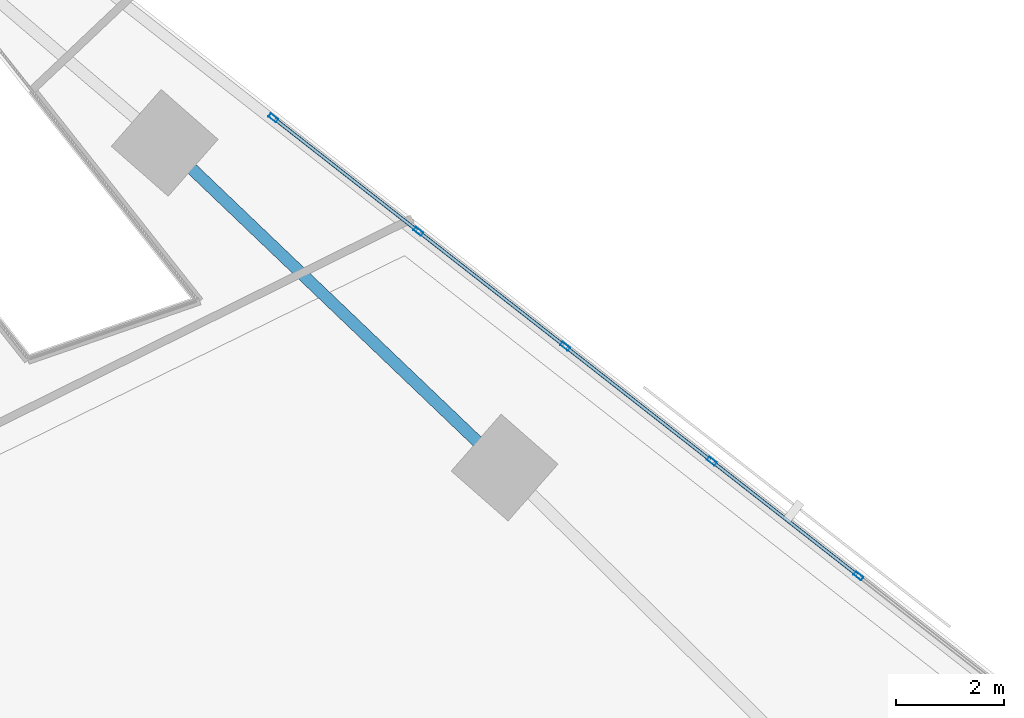
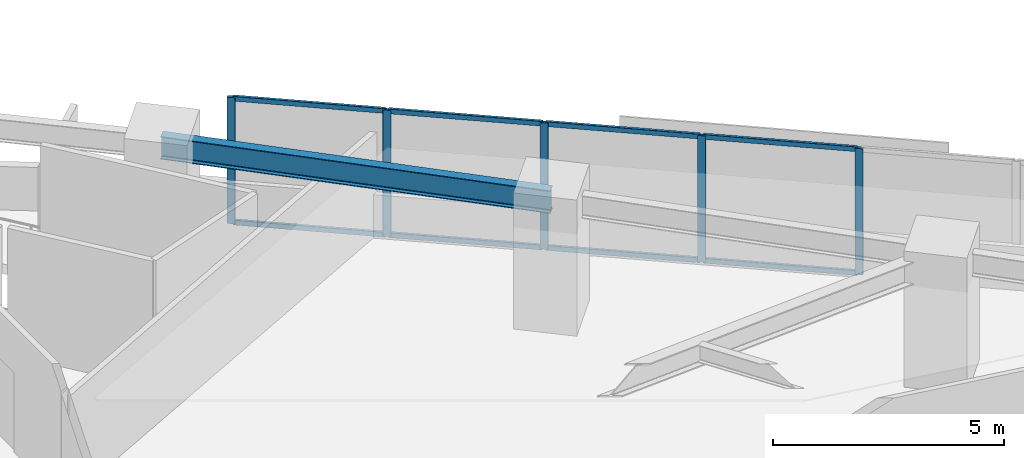
# One storey, part 6 of 15: 13 members, 1 beam, 1 element without a shape of its own.
"""IFC4 building model written with IfcOpenShell, lengths in metres."""

from ifc_helpers import new_model, si_unit, direction, frame, origin, origin_2d, place, context, subcontext, project, spatial, hollow_rectangle, i_section, extrude, material, material_profile, profile_set, type_object, element, aggregate, save


model = new_model("IFC4")

# Units and contexts
model_context = context("Model", 3, precision=1e-05, world=origin(), true_north=direction((0.0, 1.0)))
body_context = subcontext(model_context, "Body", "Model", "MODEL_VIEW")
ifc_project = project(units=[si_unit("LENGTHUNIT", "METRE"), si_unit("AREAUNIT", "SQUARE_METRE"), si_unit("VOLUMEUNIT", "CUBIC_METRE"), si_unit("PLANEANGLEUNIT", "RADIAN"), si_unit("MASSUNIT", "GRAM", prefix="KILO")], contexts=[model_context])

# Site, building, storey
site_placement = place(None, origin())
site = spatial("IfcSite", under=ifc_project, at=site_placement, CompositionType="ELEMENT")
building_placement = place(site_placement, origin())
building = spatial("IfcBuilding", under=site, at=building_placement, Name="Narakoshi Arena Tower", CompositionType="ELEMENT")
storey_placement = place(building_placement, frame((0.0, 0.0, 74.10009765625)))
storey = spatial("IfcBuildingStorey", under=building, at=storey_placement, Name="L19", CompositionType="ELEMENT", Elevation=74.10009765625)

# Beam
ifc_material_1 = material(Name="Structural steel S355J2", Category="steel")
ifc_material_profile_1 = material_profile(ifc_material_1, i_section(OverallWidth=0.219970703125, OverallDepth=0.60009765625, WebThickness=0.011962890625, FlangeThickness=0.01904296875, FilletRadius=0.02392578125, at=origin_2d()), Name="IPE600")
ifc_profile_set_1 = profile_set([ifc_material_profile_1], Name="Structural steel S355J2")
beam_type = type_object("IfcBeamType", Name="BM-EDGE-600", PredefinedType="BEAM", material=ifc_profile_set_1)
beam_placement = place(storey_placement, frame((100.76318359375, 50.931640625, 3.039794921875), z_axis=(-0.723088904438, 0.690754975572, 0.0), x_axis=(-0.690754975572, -0.723088904438, 0.0)))
element("IfcBeam", 1, at=beam_placement, inside=storey, type_object=beam_type, Name="L19 Perimeter Edge Girder 07", PredefinedType="BEAM", context=body_context, shape_type="SweptSolid", body=[
    extrude(i_section(OverallWidth=0.219970703125, OverallDepth=0.60009765625, WebThickness=0.011962890625, FlangeThickness=0.01904296875, FilletRadius=0.02392578125, at=origin_2d()), origin(), (0.0, 0.0, 1.0), 8.690673828125),
])

# Curtain wall, members
ifc_material_2 = material(Name="Anodised bronze aluminium 6063-T6", Category="aluminium")
curtain_wall_type = type_object("IfcCurtainWallType", Name="CW-HYP-LOW", PredefinedType="NOTDEFINED", material=ifc_material_2)
curtain_wall_placement = place(storey_placement, origin())
curtain_wall = element("IfcCurtainWall", 2, at=curtain_wall_placement, inside=storey, type_object=curtain_wall_type, Name="L19 Folded Hypotenuse Curtain Wall 1-1", PredefinedType="NOTDEFINED")
ifc_material_profile_2 = material_profile(ifc_material_2, hollow_rectangle(XDim=0.074951171875, YDim=0.179931640625, WallThickness=0.00390625, OuterFilletRadius=0.0048828125, at=origin_2d()), Name="MUL180x75x4")
ifc_profile_set_2 = profile_set([ifc_material_profile_2], Name="Anodised bronze aluminium 6063-T6")
member_type_1 = type_object("IfcMemberType", Name="MEM-MUL-180", PredefinedType="MULLION", material=ifc_profile_set_2)
member_1_placement = place(storey_placement, frame((107.304443359375, 48.927490234375, 0.0), z_axis=(0.0, 0.0, 1.0), x_axis=(-0.616458234641, -0.787387607817, 0.0)))
member_1 = element("IfcMember", 3, at=member_1_placement, type_object=member_type_1, Name="CW-01 mullion 6", PredefinedType="MULLION", context=body_context, shape_type="SweptSolid", body=[
    extrude(hollow_rectangle(XDim=0.074951171875, YDim=0.179931640625, WallThickness=0.00390625, OuterFilletRadius=0.0048828125, at=origin_2d()), origin(), (0.0, 0.0, 1.0), 3.33984375),
])
member_2_placement = place(storey_placement, frame((104.5927734375, 51.050537109375, 0.0), z_axis=(0.0, 0.0, 1.0), x_axis=(-0.616458234641, -0.787387607817, 0.0)))
member_2 = element("IfcMember", 4, at=member_2_placement, type_object=member_type_1, Name="CW-01 mullion 7", PredefinedType="MULLION", context=body_context, shape_type="SweptSolid", body=[
    extrude(hollow_rectangle(XDim=0.074951171875, YDim=0.179931640625, WallThickness=0.00390625, OuterFilletRadius=0.0048828125, at=origin_2d()), origin(), (0.0, 0.0, 1.0), 3.33984375),
])
member_3_placement = place(storey_placement, frame((101.88134765625, 53.17333984375, 0.0), z_axis=(0.0, 0.0, 1.0), x_axis=(-0.616458234641, -0.787387607817, 0.0)))
member_3 = element("IfcMember", 5, at=member_3_placement, type_object=member_type_1, Name="CW-01 mullion 8", PredefinedType="MULLION", context=body_context, shape_type="SweptSolid", body=[
    extrude(hollow_rectangle(XDim=0.074951171875, YDim=0.179931640625, WallThickness=0.00390625, OuterFilletRadius=0.0048828125, at=origin_2d()), origin(), (0.0, 0.0, 1.0), 3.33984375),
])
member_4_placement = place(storey_placement, frame((99.169677734375, 55.29638671875, 0.0), z_axis=(0.0, 0.0, 1.0), x_axis=(-0.616458234641, -0.787387607817, 0.0)))
member_4 = element("IfcMember", 6, at=member_4_placement, type_object=member_type_1, Name="CW-01 mullion 9", PredefinedType="MULLION", context=body_context, shape_type="SweptSolid", body=[
    extrude(hollow_rectangle(XDim=0.074951171875, YDim=0.179931640625, WallThickness=0.00390625, OuterFilletRadius=0.0048828125, at=origin_2d()), origin(), (0.0, 0.0, 1.0), 3.33984375),
])
member_5_placement = place(storey_placement, frame((96.48779296875, 57.39599609375, 0.0), z_axis=(0.0, 0.0, 1.0), x_axis=(-0.616458234641, -0.787387607817, 0.0)))
member_5 = element("IfcMember", 7, at=member_5_placement, type_object=member_type_1, Name="CW-01 mullion 10", PredefinedType="MULLION", context=body_context, shape_type="SweptSolid", body=[
    extrude(hollow_rectangle(XDim=0.074951171875, YDim=0.179931640625, WallThickness=0.00390625, OuterFilletRadius=0.0048828125, at=origin_2d()), origin(), (0.0, 0.0, 1.0), 3.33984375),
])
ifc_material_profile_3 = material_profile(ifc_material_2, hollow_rectangle(XDim=0.06494140625, YDim=0.1298828125, WallThickness=0.00390625, OuterFilletRadius=0.0048828125, at=origin_2d()), Name="TRN130x65x4")
ifc_profile_set_3 = profile_set([ifc_material_profile_3], Name="Anodised bronze aluminium 6063-T6")
member_type_2 = type_object("IfcMemberType", Name="MEM-TRN-130", PredefinedType="USERDEFINED", material=ifc_profile_set_3)
member_6_placement = place(storey_placement, frame((107.27490234375, 48.95068359375, 0.032470703125), z_axis=(-0.787400998112, 0.616441131149, 0.0), x_axis=(-0.616441131149, -0.787400998112, 0.0)))
member_6 = element("IfcMember", 8, at=member_6_placement, type_object=member_type_2, Name="CW-01 transom 6.1", ObjectType="TRANSOM", PredefinedType="USERDEFINED", context=body_context, shape_type="SweptSolid", body=[
    extrude(hollow_rectangle(XDim=0.06494140625, YDim=0.1298828125, WallThickness=0.00390625, OuterFilletRadius=0.0048828125, at=origin_2d()), origin(), (0.0, 0.0, 1.0), 3.368896484375),
])
member_7_placement = place(storey_placement, frame((107.27490234375, 48.95068359375, 3.307373046875), z_axis=(-0.787400998112, 0.616441131149, 0.0), x_axis=(-0.616441131149, -0.787400998112, 0.0)))
member_7 = element("IfcMember", 9, at=member_7_placement, type_object=member_type_2, Name="CW-01 transom 6.2", ObjectType="TRANSOM", PredefinedType="USERDEFINED", context=body_context, shape_type="SweptSolid", body=[
    extrude(hollow_rectangle(XDim=0.06494140625, YDim=0.1298828125, WallThickness=0.00390625, OuterFilletRadius=0.0048828125, at=origin_2d()), origin(), (0.0, 0.0, 1.0), 3.368896484375),
])
member_8_placement = place(storey_placement, frame((104.563232421875, 51.073486328125, 0.032470703125), z_axis=(-0.787373456673, 0.616476309137, 0.0), x_axis=(-0.616476309137, -0.787373456673, 0.0)))
member_8 = element("IfcMember", 10, at=member_8_placement, type_object=member_type_2, Name="CW-01 transom 7.1", ObjectType="TRANSOM", PredefinedType="USERDEFINED", context=body_context, shape_type="SweptSolid", body=[
    extrude(hollow_rectangle(XDim=0.06494140625, YDim=0.1298828125, WallThickness=0.00390625, OuterFilletRadius=0.0048828125, at=origin_2d()), origin(), (0.0, 0.0, 1.0), 3.36865234375),
])
member_9_placement = place(storey_placement, frame((104.563232421875, 51.073486328125, 3.307373046875), z_axis=(-0.787373456673, 0.616476309137, 0.0), x_axis=(-0.616476309137, -0.787373456673, 0.0)))
member_9 = element("IfcMember", 11, at=member_9_placement, type_object=member_type_2, Name="CW-01 transom 7.2", ObjectType="TRANSOM", PredefinedType="USERDEFINED", context=body_context, shape_type="SweptSolid", body=[
    extrude(hollow_rectangle(XDim=0.06494140625, YDim=0.1298828125, WallThickness=0.00390625, OuterFilletRadius=0.0048828125, at=origin_2d()), origin(), (0.0, 0.0, 1.0), 3.36865234375),
])
member_10_placement = place(storey_placement, frame((101.851806640625, 53.196533203125, 0.032470703125), z_axis=(-0.787400998112, 0.616441131149, 0.0), x_axis=(-0.616441131149, -0.787400998112, 0.0)))
member_10 = element("IfcMember", 12, at=member_10_placement, type_object=member_type_2, Name="CW-01 transom 8.1", ObjectType="TRANSOM", PredefinedType="USERDEFINED", context=body_context, shape_type="SweptSolid", body=[
    extrude(hollow_rectangle(XDim=0.06494140625, YDim=0.1298828125, WallThickness=0.00390625, OuterFilletRadius=0.0048828125, at=origin_2d()), origin(), (0.0, 0.0, 1.0), 3.368896484375),
])
member_11_placement = place(storey_placement, frame((101.851806640625, 53.196533203125, 3.307373046875), z_axis=(-0.787400998112, 0.616441131149, 0.0), x_axis=(-0.616441131149, -0.787400998112, 0.0)))
member_11 = element("IfcMember", 13, at=member_11_placement, type_object=member_type_2, Name="CW-01 transom 8.2", ObjectType="TRANSOM", PredefinedType="USERDEFINED", context=body_context, shape_type="SweptSolid", body=[
    extrude(hollow_rectangle(XDim=0.06494140625, YDim=0.1298828125, WallThickness=0.00390625, OuterFilletRadius=0.0048828125, at=origin_2d()), origin(), (0.0, 0.0, 1.0), 3.368896484375),
])
member_12_placement = place(storey_placement, frame((99.14013671875, 55.3193359375, 0.032470703125), z_axis=(-0.787347227026, 0.616509808596, 0.0), x_axis=(-0.616509808596, -0.787347227026, 0.0)))
member_12 = element("IfcMember", 14, at=member_12_placement, type_object=member_type_2, Name="CW-01 transom 9.1", ObjectType="TRANSOM", PredefinedType="USERDEFINED", context=body_context, shape_type="SweptSolid", body=[
    extrude(hollow_rectangle(XDim=0.06494140625, YDim=0.1298828125, WallThickness=0.00390625, OuterFilletRadius=0.0048828125, at=origin_2d()), origin(), (0.0, 0.0, 1.0), 3.331298828125),
])
member_13_placement = place(storey_placement, frame((99.14013671875, 55.3193359375, 3.307373046875), z_axis=(-0.787347227026, 0.616509808596, 0.0), x_axis=(-0.616509808596, -0.787347227026, 0.0)))
member_13 = element("IfcMember", 15, at=member_13_placement, type_object=member_type_2, Name="CW-01 transom 9.2", ObjectType="TRANSOM", PredefinedType="USERDEFINED", context=body_context, shape_type="SweptSolid", body=[
    extrude(hollow_rectangle(XDim=0.06494140625, YDim=0.1298828125, WallThickness=0.00390625, OuterFilletRadius=0.0048828125, at=origin_2d()), origin(), (0.0, 0.0, 1.0), 3.331298828125),
])
aggregate(curtain_wall, [member_1, member_2, member_3, member_4, member_5, member_6, member_7, member_8, member_9, member_10, member_11, member_12, member_13])

save(model, "model.ifc")
